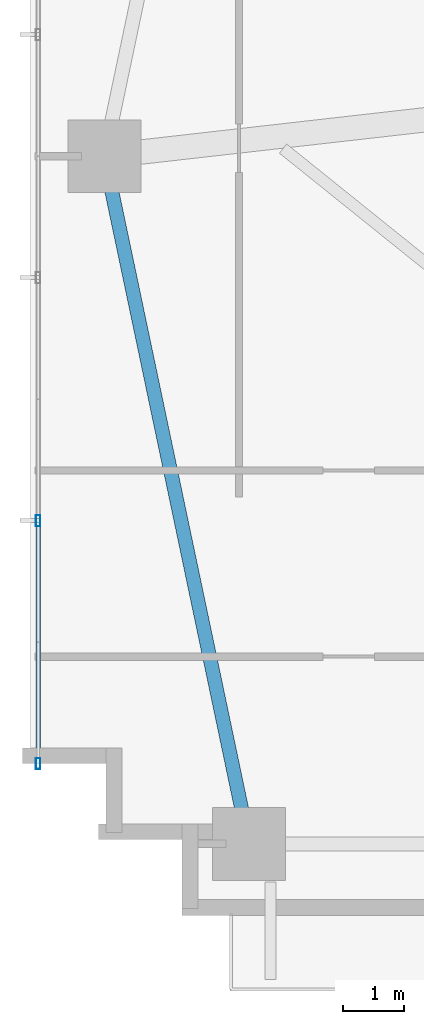
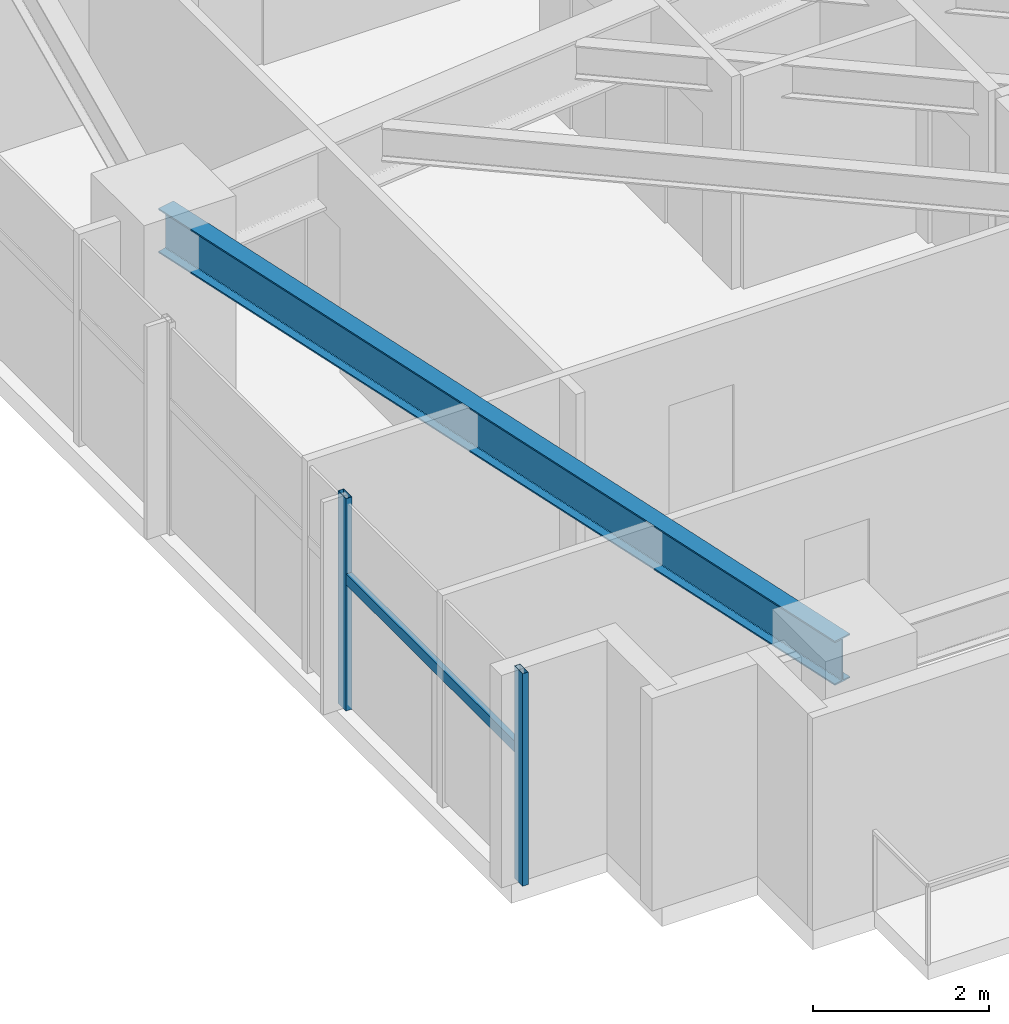
# One storey, part 2 of 25: 3 members, 1 beam, 1 element without a shape of its own.
"""IFC4 building model written with IfcOpenShell, lengths in metres."""

from ifc_helpers import new_model, si_unit, direction, frame, origin, origin_2d, place, context, subcontext, project, spatial, hollow_rectangle, i_section, extrude, source, transform, mapped, material, material_profile, profile_set, type_object, type_shapes, element, aggregate, save


model = new_model("IFC4")

# Units and contexts
model_context = context("Model", 3, precision=1e-05, world=origin(), true_north=direction((0.0, 1.0)))
body_context = subcontext(model_context, "Body", "Model", "MODEL_VIEW")
ifc_project = project(units=[si_unit("LENGTHUNIT", "METRE"), si_unit("AREAUNIT", "SQUARE_METRE"), si_unit("VOLUMEUNIT", "CUBIC_METRE"), si_unit("PLANEANGLEUNIT", "RADIAN"), si_unit("MASSUNIT", "GRAM", prefix="KILO")], contexts=[model_context])

# Site, building, storey
site_placement = place(None, origin())
site = spatial("IfcSite", under=ifc_project, at=site_placement, CompositionType="ELEMENT")
building_placement = place(site_placement, origin())
building = spatial("IfcBuilding", under=site, at=building_placement, Name="Astriad Promenade Condominiums", CompositionType="ELEMENT")
storey_placement = place(building_placement, frame((0.0, 0.0, 55.0)))
storey = spatial("IfcBuildingStorey", under=building, at=storey_placement, Name="L15", CompositionType="ELEMENT", Elevation=55.0)

# Beam
ifc_material_1 = material(Name="Steel ASTM A992 Grade 50", Category="steel")
ifc_material_profile_1 = material_profile(ifc_material_1, i_section(OverallWidth=0.22900390625, OverallDepth=0.612060546875, WebThickness=0.011962890625, FlangeThickness=0.01953125, FilletRadius=0.017822265625, at=origin_2d()), Name="W24X84")
ifc_profile_set_1 = profile_set([ifc_material_profile_1], Name="Steel ASTM A992 Grade 50")
beam_type = type_object("IfcBeamType", Name="STEEL SPANDREL BEAM W24X84", PredefinedType="SPANDREL", material=ifc_profile_set_1)
shared_shape_1 = source(origin(), body_context, "Body", "SweptSolid", [
    extrude(i_section(OverallWidth=0.22900390625, OverallDepth=0.612060546875, WebThickness=0.011962890625, FlangeThickness=0.01953125, FilletRadius=0.017822265625, at=origin_2d()), origin(), (0.0, 0.0, 1.0), 11.487548828125),
])
type_shapes(beam_type, [shared_shape_1])
beam_placement = place(storey_placement, frame((7.0283203125, 15.160888671875, 2.6337890625), z_axis=(0.205748055501, -0.978604995725, 0.0), x_axis=(0.978604995725, 0.205748055501, 0.0)))
element("IfcBeam", 1, at=beam_placement, inside=storey, type_object=beam_type, Name="Perimeter Spandrel Beam SP-W1-L15", PredefinedType="SPANDREL", context=body_context, shape_type="MappedRepresentation", body=[
    mapped(shared_shape_1, transform((0.0, 0.0, 0.0), scale=1.0)),
])

# Curtain wall, members
ifc_material_2 = material(Name="Anodised aluminium Black Dark Glass Unitised", Category="aluminium")
curtain_wall_type = type_object("IfcCurtainWallType", Name="CW-B1-DARK", PredefinedType="USERDEFINED", material=ifc_material_2)
curtain_wall_placement = place(storey_placement, origin())
curtain_wall = element("IfcCurtainWall", 2, at=curtain_wall_placement, inside=storey, type_object=curtain_wall_type, Name="CW-L15-W", ObjectType="UNITISED_CURTAIN_WALL", PredefinedType="USERDEFINED")
ifc_material_3 = material(Name="Anodised aluminium 6063-T6 Black", Category="aluminium")
ifc_material_profile_2 = material_profile(ifc_material_3, hollow_rectangle(XDim=0.074951171875, YDim=0.18505859375, WallThickness=0.00439453125, at=origin_2d()), Name="ALU-MUL-75X185")
ifc_profile_set_2 = profile_set([ifc_material_profile_2], Name="Anodised aluminium 6063-T6 Black")
member_type_1 = type_object("IfcMemberType", Name="MUL-ALU-MUL-75X185", PredefinedType="MULLION", material=ifc_profile_set_2)
shared_shape_2 = source(origin(), body_context, "Body", "SweptSolid", [
    extrude(hollow_rectangle(XDim=0.074951171875, YDim=0.18505859375, WallThickness=0.00439453125, at=origin_2d()), origin(), (0.0, 0.0, 1.0), 2.93994140625),
])
type_shapes(member_type_1, [shared_shape_2])
member_1_placement = place(storey_placement, frame((5.929931640625, 5.199951171875, 0.0), z_axis=(0.0, 0.0, 1.0), x_axis=(1.0, 0.0, 0.0)))
member_1 = element("IfcMember", 3, at=member_1_placement, type_object=member_type_1, Name="CW-L15-W-MUL-00", PredefinedType="MULLION", context=body_context, shape_type="MappedRepresentation", body=[
    mapped(shared_shape_2, transform((0.0, 0.0, 0.0), scale=1.0)),
])
member_2_placement = place(storey_placement, frame((5.929931640625, 9.199951171875, 0.0), z_axis=(0.0, 0.0, 1.0), x_axis=(1.0, 0.0, 0.0)))
member_2 = element("IfcMember", 4, at=member_2_placement, type_object=member_type_1, Name="CW-L15-W-MUL-01", PredefinedType="MULLION", context=body_context, shape_type="MappedRepresentation", body=[
    mapped(shared_shape_2, transform((0.0, 0.0, 0.0), scale=1.0)),
])
ifc_material_profile_3 = material_profile(ifc_material_3, hollow_rectangle(XDim=0.074951171875, YDim=0.14990234375, WallThickness=0.004150390625, at=origin_2d()), Name="ALU-TRN-75X150")
ifc_profile_set_3 = profile_set([ifc_material_profile_3], Name="Anodised aluminium 6063-T6 Black")
member_type_2 = type_object("IfcMemberType", Name="TRN-ALU-TRN-75X150", PredefinedType="USERDEFINED", material=ifc_profile_set_3)
shared_shape_3 = source(origin(), body_context, "Body", "SweptSolid", [
    extrude(hollow_rectangle(XDim=0.074951171875, YDim=0.14990234375, WallThickness=0.004150390625, at=origin_2d()), origin(), (0.0, 0.0, 1.0), 4.0),
])
type_shapes(member_type_2, [shared_shape_3])
member_3_placement = place(storey_placement, frame((5.929931640625, 5.199951171875, 1.82275390625), z_axis=(0.0, 1.0, 0.0), x_axis=(-1.0, 0.0, 0.0)))
member_3 = element("IfcMember", 5, at=member_3_placement, type_object=member_type_2, Name="CW-L15-W-TRN-00-0", ObjectType="TRANSOM", PredefinedType="USERDEFINED", context=body_context, shape_type="MappedRepresentation", body=[
    mapped(shared_shape_3, transform((0.0, 0.0, 0.0), scale=1.0)),
])
aggregate(curtain_wall, [member_1, member_2, member_3])

save(model, "model.ifc")
